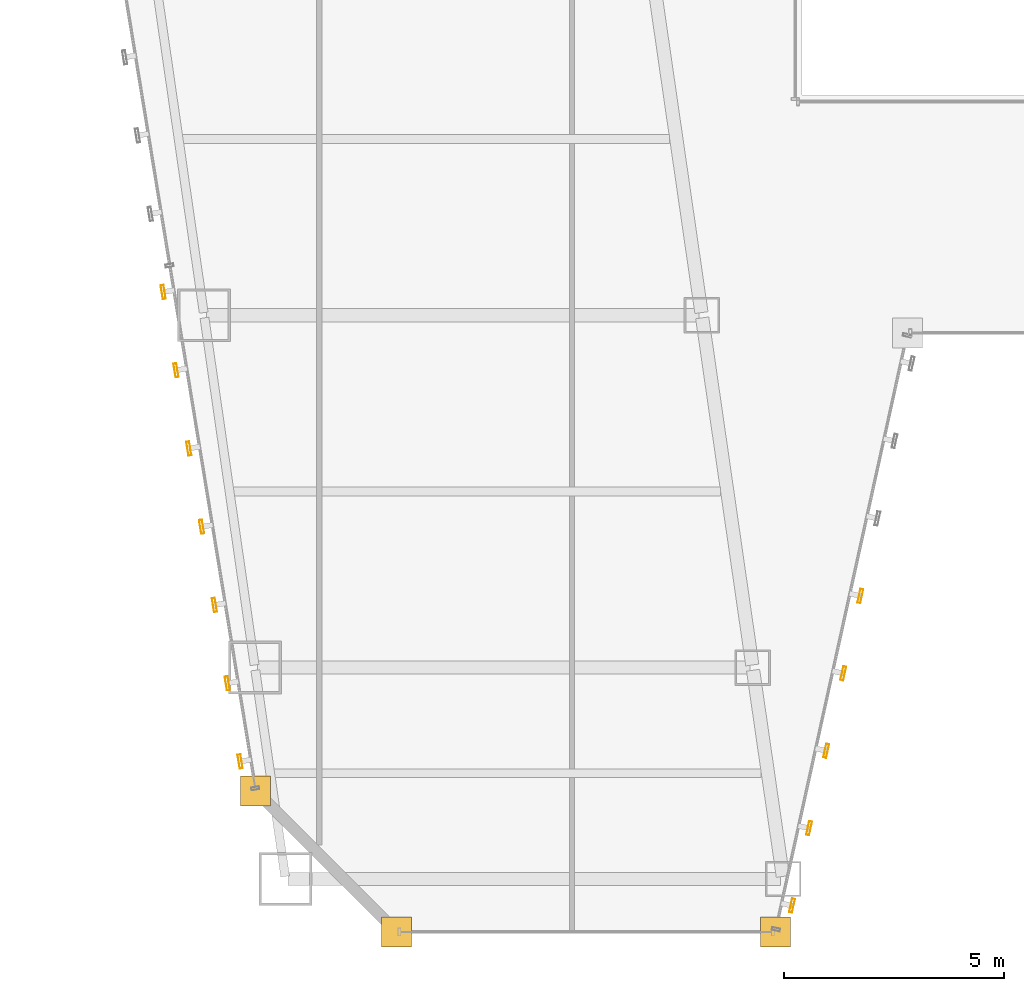
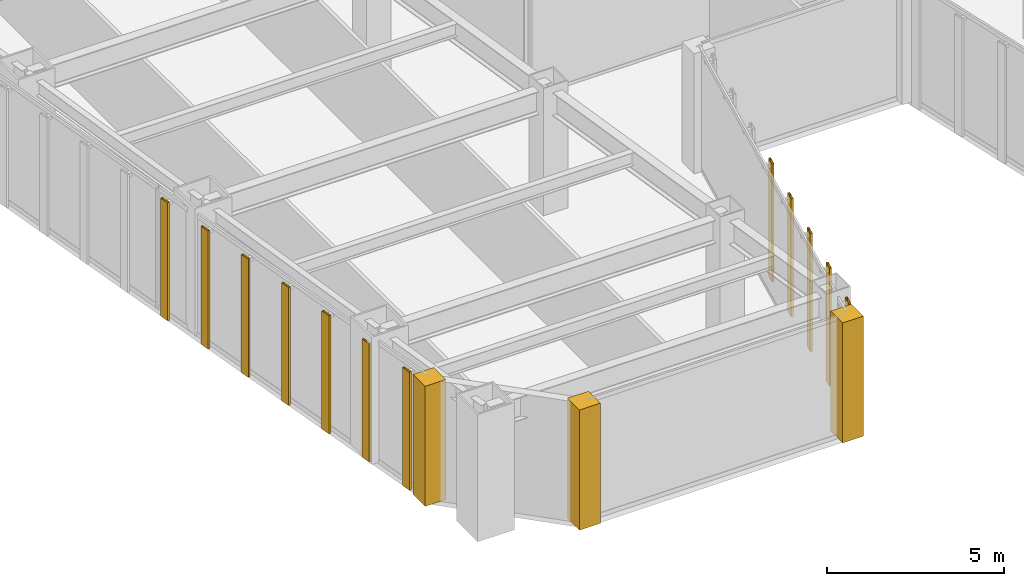
# One storey, part 41 of 47: 12 shading devices, 3 coverings.
"""IFC4 building model written with IfcOpenShell, lengths in metres."""

from ifc_helpers import new_model, si_unit, direction, frame, origin, origin_2d, place, context, subcontext, project, spatial, polyline, hollow_rectangle, outline, extrude, material, layer, layer_set, material_profile, profile_set, type_object, element, save


model = new_model("IFC4")

# Units and contexts
model_context = context("Model", 3, precision=1e-05, world=origin(), true_north=direction((0.0, 1.0)))
body_context = subcontext(model_context, "Body", "Model", "MODEL_VIEW")
ifc_project = project(units=[si_unit("LENGTHUNIT", "METRE"), si_unit("AREAUNIT", "SQUARE_METRE"), si_unit("VOLUMEUNIT", "CUBIC_METRE"), si_unit("PLANEANGLEUNIT", "RADIAN"), si_unit("MASSUNIT", "GRAM", prefix="KILO")], contexts=[model_context])

# Site, building, storey
site_placement = place(None, origin())
site = spatial("IfcSite", under=ifc_project, at=site_placement, CompositionType="ELEMENT")
building_placement = place(site_placement, origin())
building = spatial("IfcBuilding", under=site, at=building_placement, Name="Saevonmaru Cultural Tower", CompositionType="ELEMENT")
storey_placement = place(building_placement, frame((0.0, 0.0, 69.199951171875)))
storey = spatial("IfcBuildingStorey", under=building, at=storey_placement, Name="L14", CompositionType="ELEMENT", Elevation=69.199951171875)

# Coverings
ifc_material = material(Name="Satin Bronze Anodised Aluminium", Category="aluminium")
ifc_layer = layer(ifc_material, 0.679931640625, Name="Satin Bronze Anodised Aluminium")
ifc_layer_set = layer_set([ifc_layer], Name="Satin Bronze Anodised Aluminium")
covering_type = type_object("IfcCoveringType", Name="CV-CORNER-CLAD", PredefinedType="CLADDING", material=ifc_layer_set)
covering_1_placement = place(storey_placement, origin())
element("IfcCovering", 1, at=covering_1_placement, inside=storey, type_object=covering_type, Name="L14 Tower Bronze Corner Cladding Pier 1", PredefinedType="CLADDING", context=body_context, shape_type="SweptSolid", body=[
    extrude(outline(polyline([(11.4599609375, 4.860107421875), (12.139892578125, 4.860107421875), (12.139892578125, 5.5400390625), (11.4599609375, 5.5400390625), (11.4599609375, 4.860107421875)])), origin(), (0.0, 0.0, 1.0), 4.150146484375),
])
covering_2_placement = place(storey_placement, origin())
element("IfcCovering", 2, at=covering_2_placement, inside=storey, type_object=covering_type, Name="L14 Tower Bronze Corner Cladding Pier 2", PredefinedType="CLADDING", context=body_context, shape_type="SweptSolid", body=[
    extrude(outline(polyline([(14.659912109375, 1.659912109375), (15.340087890625, 1.659912109375), (15.340087890625, 2.340087890625), (14.659912109375, 2.340087890625), (14.659912109375, 1.659912109375)])), origin(), (0.0, 0.0, 1.0), 4.150146484375),
])
covering_3_placement = place(storey_placement, origin())
element("IfcCovering", 3, at=covering_3_placement, inside=storey, type_object=covering_type, Name="L14 Tower Bronze Corner Cladding Pier 3", PredefinedType="CLADDING", context=body_context, shape_type="SweptSolid", body=[
    extrude(outline(polyline([(23.260009765625, 1.659912109375), (23.93994140625, 1.659912109375), (23.93994140625, 2.340087890625), (23.260009765625, 2.340087890625), (23.260009765625, 1.659912109375)])), origin(), (0.0, 0.0, 1.0), 4.150146484375),
])

# Shading devices
ifc_material_profile = material_profile(ifc_material, hollow_rectangle(XDim=0.070068359375, YDim=0.320068359375, WallThickness=0.0048828125, at=origin_2d()), Name="FIN-320x70")
ifc_profile_set = profile_set([ifc_material_profile], Name="Satin Bronze Anodised Aluminium")
shading_device_type = type_object("IfcShadingDeviceType", Name="SHD-FIN-320", PredefinedType="JALOUSIE", material=ifc_profile_set)
for number, where, z_axis, x_axis, name in (
    (4, (23.977294921875, 2.59619140625, 0.050048828125), (0.0, 0.0, 1.0), (0.976522126798, -0.215417120661, 0.0), "L14 Art Deco Sawtooth Bronze Fin E3-01"),
    (5, (24.364990234375, 4.35400390625, 0.050048828125), (0.0, 0.0, 1.0), (0.976522126798, -0.215417120661, 0.0), "L14 Art Deco Sawtooth Bronze Fin E3-02"),
    (6, (24.752685546875, 6.11181640625, 0.050048828125), (0.0, 0.0, 1.0), (0.976522126798, -0.215417120661, 0.0), "L14 Art Deco Sawtooth Bronze Fin E3-03"),
    (7, (25.140380859375, 7.869384765625, 0.050048828125), (0.0, 0.0, 1.0), (0.976522126798, -0.215417120661, 0.0), "L14 Art Deco Sawtooth Bronze Fin E3-04"),
    (8, (25.5283203125, 9.627197265625, 0.050048828125), (0.0, 0.0, 1.0), (0.976522126798, -0.215417120661, 0.0), "L14 Art Deco Sawtooth Bronze Fin E3-05"),
    (9, (9.70068359375, 16.527099609375, 0.050048828125), (0.0, 0.0, 1.0), (-0.986827496189, -0.161776057456, 0.0), "L14 Art Deco Sawtooth Bronze Fin E12-21"),
    (10, (9.99169921875, 14.750732421875, 0.050048828125), (0.0, 0.0, 1.0), (-0.986827496189, -0.161776057456, 0.0), "L14 Art Deco Sawtooth Bronze Fin E12-22"),
    (11, (10.28271484375, 12.974365234375, 0.050048828125), (0.0, 0.0, 1.0), (-0.986827496189, -0.161776057456, 0.0), "L14 Art Deco Sawtooth Bronze Fin E12-23"),
    (12, (10.573974609375, 11.197998046875, 0.050048828125), (0.0, 0.0, 1.0), (-0.986827496189, -0.161776057456, 0.0), "L14 Art Deco Sawtooth Bronze Fin E12-24"),
    (13, (10.864990234375, 9.421875, 0.050048828125), (0.0, 0.0, 1.0), (-0.986827496189, -0.161776057456, 0.0), "L14 Art Deco Sawtooth Bronze Fin E12-25"),
    (14, (11.156005859375, 7.6455078125, 0.050048828125), (0.0, 0.0, 1.0), (-0.986827496189, -0.161776057456, 0.0), "L14 Art Deco Sawtooth Bronze Fin E12-26"),
    (15, (11.447021484375, 5.869140625, 0.050048828125), (0.0, 0.0, 1.0), (-0.986827496189, -0.161776057456, 0.0), "L14 Art Deco Sawtooth Bronze Fin E12-27"),
):
    element("IfcShadingDevice", number, at=place(storey_placement, frame(where, z_axis=z_axis, x_axis=x_axis)), inside=storey, type_object=shading_device_type, Name=name, PredefinedType="JALOUSIE", context=body_context, shape_type="SweptSolid", body=[
        extrude(hollow_rectangle(XDim=0.070068359375, YDim=0.320068359375, WallThickness=0.0048828125, at=origin_2d()), origin(), (0.0, 0.0, 1.0), 4.080078125),
    ])

save(model, "model.ifc")
